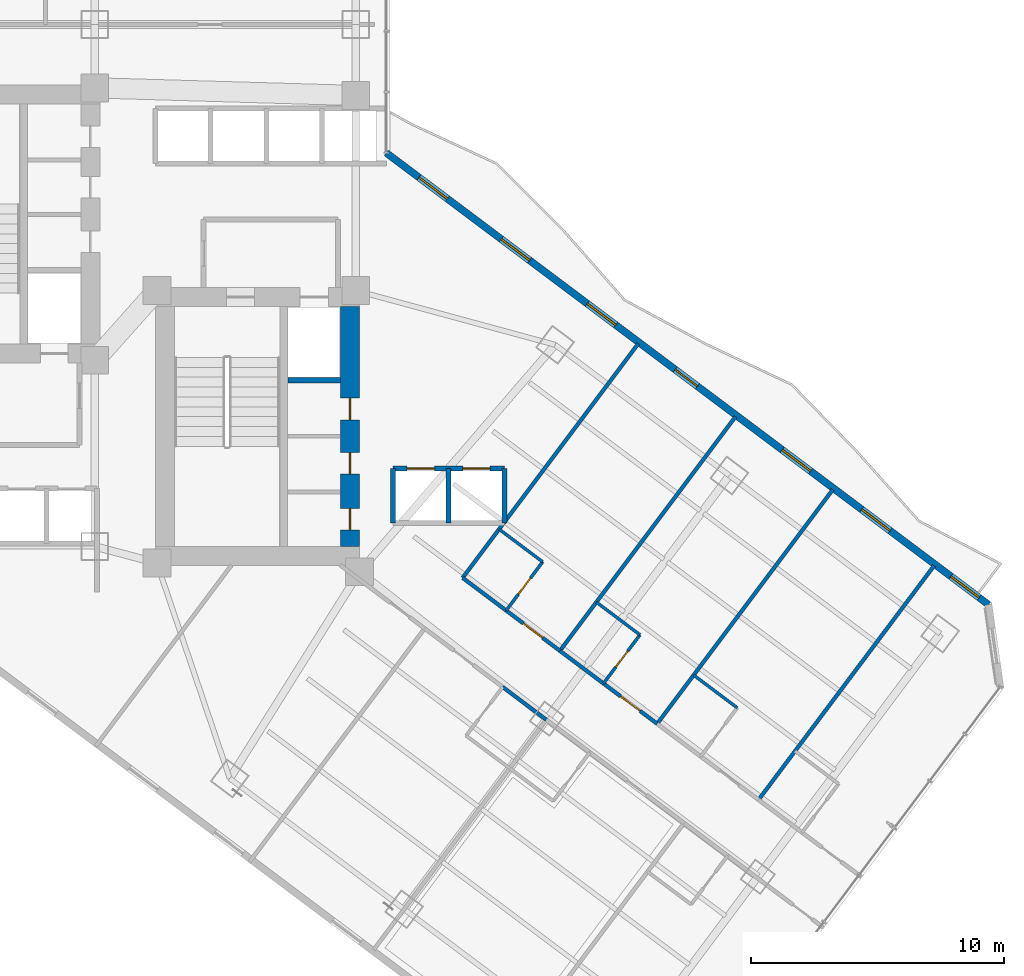
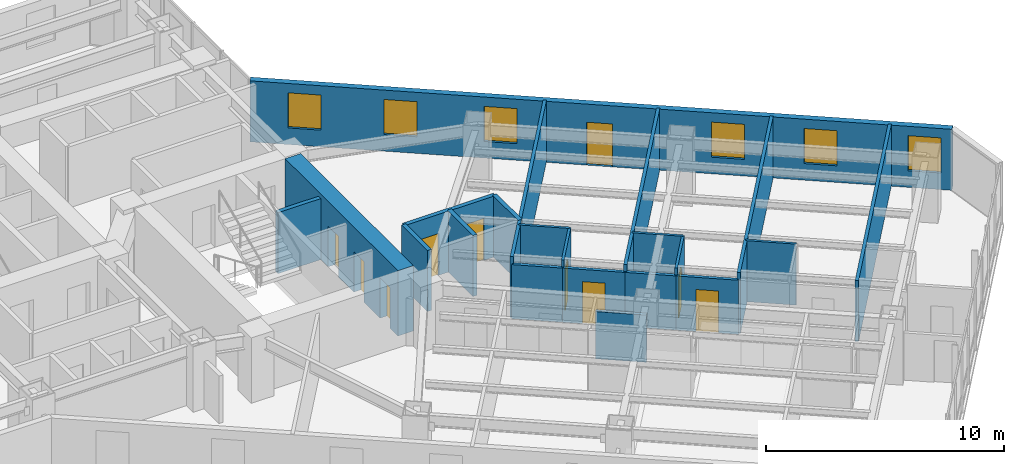
# One storey, part 25 of 37: 21 walls, 10 doors, 6 windows, 16 openings.
"""IFC4 building model written with IfcOpenShell, lengths in metres."""

from ifc_helpers import new_model, si_unit, direction, frame, frame_2d, origin, place, context, subcontext, project, spatial, rectangle, extrude, material, layer, layer_set, type_object, element, fill, save


model = new_model("IFC4")

# Units and contexts
model_context = context("Model", 3, precision=1e-05, world=origin(), true_north=direction((0.0, 1.0)))
body_context = subcontext(model_context, "Body", "Model", "MODEL_VIEW")
ifc_project = project(units=[si_unit("LENGTHUNIT", "METRE"), si_unit("AREAUNIT", "SQUARE_METRE"), si_unit("VOLUMEUNIT", "CUBIC_METRE"), si_unit("PLANEANGLEUNIT", "RADIAN"), si_unit("MASSUNIT", "GRAM", prefix="KILO")], contexts=[model_context])

# Site, building, storey
site_placement = place(None, origin())
site = spatial("IfcSite", under=ifc_project, at=site_placement, CompositionType="ELEMENT")
building_placement = place(site_placement, origin())
building = spatial("IfcBuilding", under=site, at=building_placement, Name="Hatsunagi Terrace Concourse", CompositionType="ELEMENT")
storey_placement = place(building_placement, frame((0.0, 0.0, 50.0)))
storey = spatial("IfcBuildingStorey", under=building, at=storey_placement, Name="L12", CompositionType="ELEMENT", Elevation=50.0)

# Wall, openings, doors
ifc_material_1 = material(Name="Concrete Fc60", Category="concrete")
ifc_layer_1 = layer(ifc_material_1, 0.75)
ifc_layer_set_1 = layer_set([ifc_layer_1], Name="CoreShearWall_Fc60_750")
wall_type_1 = type_object("IfcWallType", Name="CoreShearWall_Fc60_750", PredefinedType="SHEAR", material=ifc_layer_set_1)
wall_1_placement = place(storey_placement, frame((43.425048828125, 25.18994140625, 0.0), z_axis=(0.0, 0.0, 1.0), x_axis=(0.0, 1.0, 0.0)))
wall_1 = element("IfcWall", 1, at=wall_1_placement, inside=storey, type_object=wall_type_1, Name="Core B Shear Wall E L12", PredefinedType="SHEAR", context=body_context, shape_type="SweptSolid", body=[
    extrude(rectangle(XDim=9.47998046875, YDim=0.75, at=frame_2d((4.739990234375, 0.0))), origin(), (0.0, 0.0, 1.0), 3.35009765625),
])
opening_1_placement = place(wall_1_placement, frame((0.659912109375, 0.0, 0.0)))
opening_1 = element("IfcOpeningElement", 2, at=opening_1_placement, cuts=wall_1, Name="Opening DR-085", PredefinedType="OPENING", context=body_context, shape_type="SweptSolid", body=[
    extrude(rectangle(XDim=0.85009765625, YDim=2.080078125, at=frame_2d((0.425048828125, 1.0400390625))), frame((0.0, 0.385009765625, 0.0), z_axis=(0.0, -1.0, 0.0), x_axis=(1.0, 0.0, 0.0)), (0.0, 0.0, 1.0), 0.77001953125),
])
opening_2_placement = place(wall_1_placement, frame((2.860107421875, 0.0, 0.0)))
opening_2 = element("IfcOpeningElement", 3, at=opening_2_placement, cuts=wall_1, Name="Opening DR-085", PredefinedType="OPENING", context=body_context, shape_type="SweptSolid", body=[
    extrude(rectangle(XDim=0.85009765625, YDim=2.080078125, at=frame_2d((0.425048828125, 1.0400390625))), frame((0.0, 0.385009765625, 0.0), z_axis=(0.0, -1.0, 0.0), x_axis=(1.0, 0.0, 0.0)), (0.0, 0.0, 1.0), 0.77001953125),
])
opening_3_placement = place(wall_1_placement, frame((5.010009765625, 0.0, 0.0)))
opening_3 = element("IfcOpeningElement", 4, at=opening_3_placement, cuts=wall_1, Name="Opening DR-085", PredefinedType="OPENING", context=body_context, shape_type="SweptSolid", body=[
    extrude(rectangle(XDim=0.85009765625, YDim=2.080078125, at=frame_2d((0.425048828125, 1.0400390625))), frame((0.0, 0.385009765625, 0.0), z_axis=(0.0, -1.0, 0.0), x_axis=(1.0, 0.0, 0.0)), (0.0, 0.0, 1.0), 0.77001953125),
])
ifc_material_2 = material(Name="Painted steel", Category="steel")
door_type_1 = type_object("IfcDoorType", Name="RiserAccessDoor_EI60_850", OperationType="NOTDEFINED", PredefinedType="DOOR", material=ifc_material_2)
door_1_placement = place(opening_1_placement, origin())
door_1 = element("IfcDoor", 5, at=door_1_placement, inside=storey, type_object=door_type_1, Name="Core B Riser Door L12-1", OperationType="SINGLE_SWING_RIGHT", OverallHeight=2.080078125, OverallWidth=0.85009765625, PredefinedType="DOOR", context=body_context, shape_type="SweptSolid", body=[
    extrude(rectangle(XDim=0.85009765625, YDim=2.080078125, at=frame_2d((0.425048828125, 1.0400390625))), frame((0.0, 0.02490234375, 0.0), z_axis=(0.0, -1.0, 0.0), x_axis=(1.0, 0.0, 0.0)), (0.0, 0.0, 1.0), 0.050048828125),
])
fill(opening_1, door_1)
door_2_placement = place(opening_2_placement, origin())
door_2 = element("IfcDoor", 6, at=door_2_placement, inside=storey, type_object=door_type_1, Name="Core B Riser Door L12-2", OperationType="SINGLE_SWING_RIGHT", OverallHeight=2.080078125, OverallWidth=0.85009765625, PredefinedType="DOOR", context=body_context, shape_type="SweptSolid", body=[
    extrude(rectangle(XDim=0.85009765625, YDim=2.080078125, at=frame_2d((0.425048828125, 1.0400390625))), frame((0.0, 0.02490234375, 0.0), z_axis=(0.0, -1.0, 0.0), x_axis=(1.0, 0.0, 0.0)), (0.0, 0.0, 1.0), 0.050048828125),
])
fill(opening_2, door_2)
door_3_placement = place(opening_3_placement, origin())
door_3 = element("IfcDoor", 7, at=door_3_placement, inside=storey, type_object=door_type_1, Name="Core B Riser Door L12-3", OperationType="SINGLE_SWING_RIGHT", OverallHeight=2.080078125, OverallWidth=0.85009765625, PredefinedType="DOOR", context=body_context, shape_type="SweptSolid", body=[
    extrude(rectangle(XDim=0.85009765625, YDim=2.080078125, at=frame_2d((0.425048828125, 1.0400390625))), frame((0.0, 0.02490234375, 0.0), z_axis=(0.0, -1.0, 0.0), x_axis=(1.0, 0.0, 0.0)), (0.0, 0.0, 1.0), 0.050048828125),
])
fill(opening_3, door_3)

# Wall, opening, door
ifc_material_3 = material(Name="Acoustic mineral board", Category="gypsum")
ifc_layer_2 = layer(ifc_material_3, 0.1201171875)
ifc_layer_set_2 = layer_set([ifc_layer_2], Name="PartitionWall_EI30_120")
wall_type_2 = type_object("IfcWallType", Name="PartitionWall_EI30_120", PredefinedType="PARTITIONING", material=ifc_layer_set_2)
wall_2_placement = place(storey_placement, frame((49.590087890625, 22.669921875, 0.0), z_axis=(0.0, 0.0, 1.0), x_axis=(0.599951172744, 0.800036618114, 0.0)))
wall_2 = element("IfcWall", 8, at=wall_2_placement, inside=storey, type_object=wall_type_2, Name="Interior Partition IW-L12-080", PredefinedType="PARTITIONING", context=body_context, shape_type="SweptSolid", body=[
    extrude(rectangle(XDim=2.400146484375, YDim=0.1201171875, at=frame_2d((1.2001953125, 0.0))), origin(), (0.0, 0.0, 1.0), 3.1298828125),
])
opening_4_placement = place(wall_2_placement, frame((0.800048828125, 0.0, 0.0)))
opening_4 = element("IfcOpeningElement", 9, at=opening_4_placement, cuts=wall_2, Name="Opening DR-080", PredefinedType="OPENING", context=body_context, shape_type="SweptSolid", body=[
    extrude(rectangle(XDim=0.800048828125, YDim=2.06005859375, at=frame_2d((0.39990234375, 1.030029296875))), frame((0.0, 0.070068359375, 0.0), z_axis=(0.0, -1.0, 0.0), x_axis=(1.0, 0.0, 0.0)), (0.0, 0.0, 1.0), 0.14013671875),
])
ifc_material_4 = material(Name="Hardwood timber", Category="wood")
door_type_2 = type_object("IfcDoorType", Name="BathroomDoor_800", OperationType="NOTDEFINED", PredefinedType="DOOR", material=ifc_material_4)
door_4_placement = place(opening_4_placement, origin())
door_4 = element("IfcDoor", 10, at=door_4_placement, inside=storey, type_object=door_type_2, Name="En-Suite Bathroom L12-SENE1 Door", OperationType="SINGLE_SWING_LEFT", OverallHeight=2.06005859375, OverallWidth=0.800048828125, PredefinedType="DOOR", context=body_context, shape_type="SweptSolid", body=[
    extrude(rectangle(XDim=0.800048828125, YDim=2.06005859375, at=frame_2d((0.39990234375, 1.030029296875))), frame((0.0, 0.02490234375, 0.0), z_axis=(0.0, -1.0, 0.0), x_axis=(1.0, 0.0, 0.0)), (0.0, 0.0, 1.0), 0.050048828125),
])
fill(opening_4, door_4)

# Wall
wall_3_placement = place(storey_placement, frame((49.31005859375, 25.8798828125, 0.0), z_axis=(0.0, 0.0, 1.0), x_axis=(0.800040880289, -0.59994548908, 0.0)))
element("IfcWall", 11, at=wall_3_placement, inside=storey, type_object=wall_type_2, Name="Interior Partition IW-L12-081", PredefinedType="PARTITIONING", context=body_context, shape_type="SweptSolid", body=[
    extrude(rectangle(XDim=2.14990234375, YDim=0.1201171875, at=frame_2d((1.074951171875, 0.0))), origin(), (0.0, 0.0, 1.0), 3.1298828125),
])

# Wall, opening, door
wall_4_placement = place(storey_placement, frame((53.429931640625, 19.7900390625, 0.0), z_axis=(0.0, 0.0, 1.0), x_axis=(0.600065100855, 0.79995117022, 0.0)))
wall_4 = element("IfcWall", 12, at=wall_4_placement, inside=storey, type_object=wall_type_2, Name="Interior Partition IW-L12-086", PredefinedType="PARTITIONING", context=body_context, shape_type="SweptSolid", body=[
    extrude(rectangle(XDim=2.400146484375, YDim=0.1201171875, at=frame_2d((1.2001953125, 0.0))), origin(), (0.0, 0.0, 1.0), 3.1298828125),
])
opening_5_placement = place(wall_4_placement, frame((0.800048828125, 0.0, 0.0)))
opening_5 = element("IfcOpeningElement", 13, at=opening_5_placement, cuts=wall_4, Name="Opening DR-080", PredefinedType="OPENING", context=body_context, shape_type="SweptSolid", body=[
    extrude(rectangle(XDim=0.800048828125, YDim=2.06005859375, at=frame_2d((0.39990234375, 1.030029296875))), frame((0.0, 0.070068359375, 0.0), z_axis=(0.0, -1.0, 0.0), x_axis=(1.0, 0.0, 0.0)), (0.0, 0.0, 1.0), 0.14013671875),
])
door_5_placement = place(opening_5_placement, origin())
door_5 = element("IfcDoor", 14, at=door_5_placement, inside=storey, type_object=door_type_2, Name="En-Suite Bathroom L12-SENE2 Door", OperationType="SINGLE_SWING_RIGHT", OverallHeight=2.06005859375, OverallWidth=0.800048828125, PredefinedType="DOOR", context=body_context, shape_type="SweptSolid", body=[
    extrude(rectangle(XDim=0.800048828125, YDim=2.06005859375, at=frame_2d((0.39990234375, 1.030029296875))), frame((0.0, 0.02490234375, 0.0), z_axis=(0.0, -1.0, 0.0), x_axis=(1.0, 0.0, 0.0)), (0.0, 0.0, 1.0), 0.050048828125),
])
fill(opening_5, door_5)

# Walls
wall_5_placement = place(storey_placement, frame((53.14990234375, 23.0, 0.0), z_axis=(0.0, 0.0, 1.0), x_axis=(0.800027249606, -0.599963665473, 0.0)))
element("IfcWall", 15, at=wall_5_placement, inside=storey, type_object=wall_type_2, Name="Interior Partition IW-L12-087", PredefinedType="PARTITIONING", context=body_context, shape_type="SweptSolid", body=[
    extrude(rectangle(XDim=2.150146484375, YDim=0.1201171875, at=frame_2d((1.0751953125, 0.0))), origin(), (0.0, 0.0, 1.0), 3.1298828125),
])
wall_6_placement = place(storey_placement, frame((56.989990234375, 20.1201171875, 0.0), z_axis=(0.0, 0.0, 1.0), x_axis=(0.79998637334, -0.60001816845, 0.0)))
element("IfcWall", 16, at=wall_6_placement, inside=storey, type_object=wall_type_2, Name="Interior Partition IW-L12-092", PredefinedType="PARTITIONING", context=body_context, shape_type="SweptSolid", body=[
    extrude(rectangle(XDim=2.14990234375, YDim=0.1201171875, at=frame_2d((1.074951171875, 0.0))), origin(), (0.0, 0.0, 1.0), 3.1298828125),
])
ifc_material_5 = material(Name="Acoustic mineral board", Category="gypsum")
ifc_layer_3 = layer(ifc_material_5, 0.14990234375)
ifc_layer_set_3 = layer_set([ifc_layer_3], Name="PartitionWall_EI60_150")
wall_type_3 = type_object("IfcWallType", Name="PartitionWall_EI60_150", PredefinedType="PARTITIONING", material=ifc_layer_set_3)
wall_7_placement = place(storey_placement, frame((47.8701171875, 23.9599609375, 0.0), z_axis=(0.0, 0.0, 1.0), x_axis=(0.79998637334, -0.60001816845, 0.0)))
element("IfcWall", 17, at=wall_7_placement, inside=storey, type_object=wall_type_3, Name="Interior Partition IW-L12-078", PredefinedType="PARTITIONING", context=body_context, shape_type="SweptSolid", body=[
    extrude(rectangle(XDim=2.14990234375, YDim=0.14990234375, at=frame_2d((1.074951171875, 0.0))), origin(), (0.0, 0.0, 1.0), 2.77490234375),
])

# Wall, opening, door
wall_8_placement = place(storey_placement, frame((49.590087890625, 22.669921875, 0.0), z_axis=(0.0, 0.0, 1.0), x_axis=(0.800011056104, -0.599985258246, 0.0)))
wall_8 = element("IfcWall", 18, at=wall_8_placement, inside=storey, type_object=wall_type_3, Name="Interior Partition IW-L12-079", PredefinedType="PARTITIONING", context=body_context, shape_type="SweptSolid", body=[
    extrude(rectangle(XDim=2.64990234375, YDim=0.14990234375, at=frame_2d((1.324951171875, 0.0))), origin(), (0.0, 0.0, 1.0), 2.77490234375),
])
opening_6_placement = place(wall_8_placement, frame((0.85009765625, 0.0, 0.0)))
opening_6 = element("IfcOpeningElement", 19, at=opening_6_placement, cuts=wall_8, Name="Opening DR-095", PredefinedType="OPENING", context=body_context, shape_type="SweptSolid", body=[
    extrude(rectangle(XDim=0.949951171875, YDim=2.14990234375, at=frame_2d((0.47509765625, 1.074951171875))), frame((0.0, 0.0849609375, 0.0), z_axis=(0.0, -1.0, 0.0), x_axis=(1.0, 0.0, 0.0)), (0.0, 0.0, 1.0), 0.169921875),
])
ifc_material_6 = material(Name="Hardwood timber", Category="wood")
door_type_3 = type_object("IfcDoorType", Name="InteriorSuiteDoor_EI30_950", OperationType="NOTDEFINED", PredefinedType="DOOR", material=ifc_material_6)
door_6_placement = place(opening_6_placement, origin())
door_6 = element("IfcDoor", 20, at=door_6_placement, inside=storey, type_object=door_type_3, Name="Hotel Guest Room L12-SENE1 Door", OperationType="SINGLE_SWING_LEFT", OverallHeight=2.14990234375, OverallWidth=0.949951171875, PredefinedType="DOOR", context=body_context, shape_type="SweptSolid", body=[
    extrude(rectangle(XDim=0.949951171875, YDim=2.14990234375, at=frame_2d((0.47509765625, 1.074951171875))), frame((0.0, 0.02490234375, 0.0), z_axis=(0.0, -1.0, 0.0), x_axis=(1.0, 0.0, 0.0)), (0.0, 0.0, 1.0), 0.050048828125),
])
fill(opening_6, door_6)

# Walls
for number, where, z_axis, x_axis, name in (
    (21, (47.8701171875, 23.9599609375, 0.0), (0.0, 0.0, 1.0), (0.599996617946, 0.80000253653, 0.0), "Interior Partition IW-L12-082"),
    (22, (51.7099609375, 21.080078125, 0.0), (0.0, 0.0, 1.0), (0.599996617946, 0.80000253653, 0.0), "Interior Partition IW-L12-083"),
):
    element("IfcWall", number, at=place(storey_placement, frame(where, z_axis=z_axis, x_axis=x_axis)), inside=storey, type_object=wall_type_3, Name=name, PredefinedType="PARTITIONING", context=body_context, shape_type="SweptSolid", body=[
        extrude(rectangle(XDim=11.550048828125, YDim=0.14990234375, at=frame_2d((5.77490234375, 0.0))), origin(), (0.0, 0.0, 1.0), 3.1298828125),
    ])
wall_9_placement = place(storey_placement, frame((51.7099609375, 21.080078125, 0.0), z_axis=(0.0, 0.0, 1.0), x_axis=(0.79998637334, -0.60001816845, 0.0)))
element("IfcWall", 23, at=wall_9_placement, inside=storey, type_object=wall_type_3, Name="Interior Partition IW-L12-084", PredefinedType="PARTITIONING", context=body_context, shape_type="SweptSolid", body=[
    extrude(rectangle(XDim=2.14990234375, YDim=0.14990234375, at=frame_2d((1.074951171875, 0.0))), origin(), (0.0, 0.0, 1.0), 2.77490234375),
])

# Wall, opening, door
wall_10_placement = place(storey_placement, frame((53.429931640625, 19.7900390625, 0.0), z_axis=(0.0, 0.0, 1.0), x_axis=(0.8, -0.6, 0.0)))
wall_10 = element("IfcWall", 24, at=wall_10_placement, inside=storey, type_object=wall_type_3, Name="Interior Partition IW-L12-085", PredefinedType="PARTITIONING", context=body_context, shape_type="SweptSolid", body=[
    extrude(rectangle(XDim=2.650146484375, YDim=0.14990234375, at=frame_2d((1.3251953125, 0.0))), origin(), (0.0, 0.0, 1.0), 2.77490234375),
])
opening_7_placement = place(wall_10_placement, frame((0.85009765625, 0.0, 0.0)))
opening_7 = element("IfcOpeningElement", 25, at=opening_7_placement, cuts=wall_10, Name="Opening DR-095", PredefinedType="OPENING", context=body_context, shape_type="SweptSolid", body=[
    extrude(rectangle(XDim=0.949951171875, YDim=2.14990234375, at=frame_2d((0.47509765625, 1.074951171875))), frame((0.0, 0.0849609375, 0.0), z_axis=(0.0, -1.0, 0.0), x_axis=(1.0, 0.0, 0.0)), (0.0, 0.0, 1.0), 0.169921875),
])
door_7_placement = place(opening_7_placement, origin())
door_7 = element("IfcDoor", 26, at=door_7_placement, inside=storey, type_object=door_type_3, Name="Hotel Guest Room L12-SENE2 Door", OperationType="SINGLE_SWING_LEFT", OverallHeight=2.14990234375, OverallWidth=0.949951171875, PredefinedType="DOOR", context=body_context, shape_type="SweptSolid", body=[
    extrude(rectangle(XDim=0.949951171875, YDim=2.14990234375, at=frame_2d((0.47509765625, 1.074951171875))), frame((0.0, 0.02490234375, 0.0), z_axis=(0.0, -1.0, 0.0), x_axis=(1.0, 0.0, 0.0)), (0.0, 0.0, 1.0), 0.050048828125),
])
fill(opening_7, door_7)

# Walls
for number, where, z_axis, x_axis, name in (
    (27, (55.550048828125, 18.199951171875, 0.0), (0.0, 0.0, 1.0), (0.599996617946, 0.80000253653, 0.0), "Interior Partition IW-L12-088"),
    (28, (59.550048828125, 15.199951171875, 0.0), (0.0, 0.0, 1.0), (0.599996617946, 0.80000253653, 0.0), "Interior Partition IW-L12-093"),
):
    element("IfcWall", number, at=place(storey_placement, frame(where, z_axis=z_axis, x_axis=x_axis)), inside=storey, type_object=wall_type_3, Name=name, PredefinedType="PARTITIONING", context=body_context, shape_type="SweptSolid", body=[
        extrude(rectangle(XDim=11.550048828125, YDim=0.14990234375, at=frame_2d((5.77490234375, 0.0))), origin(), (0.0, 0.0, 1.0), 3.1298828125),
    ])
wall_11_placement = place(storey_placement, frame((49.449951171875, 19.64990234375, 0.0), z_axis=(0.0, 0.0, 1.0), x_axis=(0.800040880289, -0.59994548908, 0.0)))
element("IfcWall", 29, at=wall_11_placement, inside=storey, type_object=wall_type_3, Name="Interior Partition IW-L12-099", PredefinedType="PARTITIONING", context=body_context, shape_type="SweptSolid", body=[
    extrude(rectangle(XDim=2.14990234375, YDim=0.14990234375, at=frame_2d((1.074951171875, 0.0))), origin(), (0.0, 0.0, 1.0), 2.425048828125),
])
ifc_material_7 = material(Name="Acoustic mineral board", Category="gypsum")
ifc_layer_4 = layer(ifc_material_7, 0.199951171875)
ifc_layer_set_4 = layer_set([ifc_layer_4], Name="ShaftWall_EI120_200")
wall_type_4 = type_object("IfcWallType", Name="ShaftWall_EI120_200", PredefinedType="STANDARD", material=ifc_layer_set_4)
wall_12_placement = place(storey_placement, frame((40.969970703125, 31.760009765625, 0.0), z_axis=(0.0, 0.0, 1.0), x_axis=(1.0, 0.0, 0.0)))
element("IfcWall", 30, at=wall_12_placement, inside=storey, type_object=wall_type_4, Name="Interior Partition IW-L12-004", PredefinedType="STANDARD", context=body_context, shape_type="SweptSolid", body=[
    extrude(rectangle(XDim=2.080078125, YDim=0.199951171875, at=frame_2d((1.0400390625, 0.0))), origin(), (0.0, 0.0, 1.0), 3.1298828125),
])
for number, where, z_axis, x_axis, name in (
    (31, (45.1201171875, 26.1201171875, 0.0), (0.0, 0.0, 1.0), (0.0, 1.0, 0.0), "Interior Partition IW-L12-027"),
    (32, (49.52001953125, 26.1201171875, 0.0), (0.0, 0.0, 1.0), (0.0, 1.0, 0.0), "Interior Partition IW-L12-028"),
    (33, (47.320068359375, 26.1201171875, 0.0), (0.0, 0.0, 1.0), (0.0, 1.0, 0.0), "Interior Partition IW-L12-029"),
):
    element("IfcWall", number, at=place(storey_placement, frame(where, z_axis=z_axis, x_axis=x_axis)), inside=storey, type_object=wall_type_4, Name=name, PredefinedType="STANDARD", context=body_context, shape_type="SweptSolid", body=[
        extrude(rectangle(XDim=2.159912109375, YDim=0.199951171875, at=frame_2d((1.080078125, 0.0))), origin(), (0.0, 0.0, 1.0), 3.1298828125),
    ])

# Wall, openings, doors
wall_13_placement = place(storey_placement, frame((45.1201171875, 28.280029296875, 0.0), z_axis=(0.0, 0.0, 1.0), x_axis=(1.0, 0.0, 0.0)))
wall_13 = element("IfcWall", 34, at=wall_13_placement, inside=storey, type_object=wall_type_4, Name="Interior Partition IW-L12-030", PredefinedType="STANDARD", context=body_context, shape_type="SweptSolid", body=[
    extrude(rectangle(XDim=4.39990234375, YDim=0.199951171875, at=frame_2d((2.199951171875, 0.0))), origin(), (0.0, 0.0, 1.0), 3.1298828125),
])
opening_8_placement = place(wall_13_placement, frame((0.56005859375, 0.0, 0.0)))
opening_8 = element("IfcOpeningElement", 35, at=opening_8_placement, cuts=wall_13, Name="Opening LD-03", PredefinedType="OPENING", context=body_context, shape_type="SweptSolid", body=[
    extrude(rectangle(XDim=1.080078125, YDim=2.14990234375, at=frame_2d((0.5400390625, 1.074951171875))), frame((0.0, 0.10986328125, 0.0), z_axis=(0.0, -1.0, 0.0), x_axis=(1.0, 0.0, 0.0)), (0.0, 0.0, 1.0), 0.219970703125),
])
opening_9_placement = place(wall_13_placement, frame((2.760009765625, 0.0, 0.0)))
opening_9 = element("IfcOpeningElement", 36, at=opening_9_placement, cuts=wall_13, Name="Opening LD-03", PredefinedType="OPENING", context=body_context, shape_type="SweptSolid", body=[
    extrude(rectangle(XDim=1.080078125, YDim=2.14990234375, at=frame_2d((0.5400390625, 1.074951171875))), frame((0.0, 0.10986328125, 0.0), z_axis=(0.0, -1.0, 0.0), x_axis=(1.0, 0.0, 0.0)), (0.0, 0.0, 1.0), 0.219970703125),
])
ifc_material_8 = material(Name="Stainless steel", Category="steel")
door_type_4 = type_object("IfcDoorType", Name="LiftLandingDoor_LD03", OperationType="SLIDING_TO_LEFT", PredefinedType="USERDEFINED", material=ifc_material_8)
door_8_placement = place(opening_8_placement, origin())
door_8 = element("IfcDoor", 37, at=door_8_placement, inside=storey, type_object=door_type_4, Name="Lift landing door PL-09 L12", ObjectType="SLIDING_LANDING_DOOR", OperationType="SLIDING_TO_LEFT", OverallHeight=2.14990234375, OverallWidth=1.080078125, PredefinedType="USERDEFINED", context=body_context, shape_type="SweptSolid", body=[
    extrude(rectangle(XDim=1.080078125, YDim=2.14990234375, at=frame_2d((0.5400390625, 1.074951171875))), frame((0.0, 0.02490234375, 0.0), z_axis=(0.0, -1.0, 0.0), x_axis=(1.0, 0.0, 0.0)), (0.0, 0.0, 1.0), 0.050048828125),
])
fill(opening_8, door_8)
door_9_placement = place(opening_9_placement, origin())
door_9 = element("IfcDoor", 38, at=door_9_placement, inside=storey, type_object=door_type_4, Name="Lift landing door PL-10 L12", ObjectType="SLIDING_LANDING_DOOR", OperationType="SLIDING_TO_LEFT", OverallHeight=2.14990234375, OverallWidth=1.080078125, PredefinedType="USERDEFINED", context=body_context, shape_type="SweptSolid", body=[
    extrude(rectangle(XDim=1.080078125, YDim=2.14990234375, at=frame_2d((0.5400390625, 1.074951171875))), frame((0.0, 0.02490234375, 0.0), z_axis=(0.0, -1.0, 0.0), x_axis=(1.0, 0.0, 0.0)), (0.0, 0.0, 1.0), 0.050048828125),
])
fill(opening_9, door_9)

# Wall, openings, door, windows
ifc_material_9 = material(Name="Autoclaved Lightweight Concrete and Terracotta Cladding", Category="masonry")
ifc_layer_5 = layer(ifc_material_9, 0.280029296875)
ifc_layer_set_5 = layer_set([ifc_layer_5], Name="TerracottaSpandrelWall_280")
wall_type_5 = type_object("IfcWallType", Name="TerracottaSpandrelWall_280", PredefinedType="STANDARD", material=ifc_layer_set_5)
wall_14_placement = place(storey_placement, frame((44.860107421875, 40.72998046875, 0.0), z_axis=(0.0, 0.0, 1.0), x_axis=(0.800006902154, -0.599990797017, 0.0)))
wall_14 = element("IfcWall", 39, at=wall_14_placement, inside=storey, type_object=wall_type_5, Name="Exterior Spandrel Wall EW-L12-01", PredefinedType="STANDARD", context=body_context, shape_type="SweptSolid", body=[
    extrude(rectangle(XDim=29.7119140625, YDim=0.280029296875, at=frame_2d((14.85595703125, 0.0))), origin(), (0.0, 0.0, 1.0), 3.1298828125),
])
opening_10_placement = place(wall_14_placement, frame((14.2490234375, 0.0, 0.0)))
opening_10 = element("IfcOpeningElement", 40, at=opening_10_placement, cuts=wall_14, Name="Opening BD-01", PredefinedType="OPENING", context=body_context, shape_type="SweptSolid", body=[
    extrude(rectangle(XDim=1.10009765625, YDim=2.199951171875, at=frame_2d((0.550048828125, 1.10009765625))), frame((0.0, 0.14990234375, 0.0), z_axis=(0.0, -1.0, 0.0), x_axis=(1.0, 0.0, 0.0)), (0.0, 0.0, 1.0), 0.300048828125),
])
opening_11_placement = place(wall_14_placement, frame((1.612060546875, 0.0, 0.85009765625)))
opening_11 = element("IfcOpeningElement", 41, at=opening_11_placement, cuts=wall_14, Name="Opening WIN-02", PredefinedType="OPENING", context=body_context, shape_type="SweptSolid", body=[
    extrude(rectangle(XDim=1.39990234375, YDim=1.800048828125, at=frame_2d((0.699951171875, 0.89990234375))), frame((0.0, 0.14990234375, 0.0), z_axis=(0.0, -1.0, 0.0), x_axis=(1.0, 0.0, 0.0)), (0.0, 0.0, 1.0), 0.300048828125),
])
opening_12_placement = place(wall_14_placement, frame((5.6669921875, 0.0, 0.85009765625)))
opening_12 = element("IfcOpeningElement", 42, at=opening_12_placement, cuts=wall_14, Name="Opening WIN-02", PredefinedType="OPENING", context=body_context, shape_type="SweptSolid", body=[
    extrude(rectangle(XDim=1.39990234375, YDim=1.800048828125, at=frame_2d((0.699951171875, 0.89990234375))), frame((0.0, 0.14990234375, 0.0), z_axis=(0.0, -1.0, 0.0), x_axis=(1.0, 0.0, 0.0)), (0.0, 0.0, 1.0), 0.300048828125),
])
opening_13_placement = place(wall_14_placement, frame((9.912109375, 0.0, 0.85009765625)))
opening_13 = element("IfcOpeningElement", 43, at=opening_13_placement, cuts=wall_14, Name="Opening WIN-02", PredefinedType="OPENING", context=body_context, shape_type="SweptSolid", body=[
    extrude(rectangle(XDim=1.39990234375, YDim=1.800048828125, at=frame_2d((0.699951171875, 0.89990234375))), frame((0.0, 0.14990234375, 0.0), z_axis=(0.0, -1.0, 0.0), x_axis=(1.0, 0.0, 0.0)), (0.0, 0.0, 1.0), 0.300048828125),
])
opening_14_placement = place(wall_14_placement, frame((19.528076171875, 0.0, 0.85009765625)))
opening_14 = element("IfcOpeningElement", 44, at=opening_14_placement, cuts=wall_14, Name="Opening WIN-02", PredefinedType="OPENING", context=body_context, shape_type="SweptSolid", body=[
    extrude(rectangle(XDim=1.39990234375, YDim=1.800048828125, at=frame_2d((0.699951171875, 0.89990234375))), frame((0.0, 0.14990234375, 0.0), z_axis=(0.0, -1.0, 0.0), x_axis=(1.0, 0.0, 0.0)), (0.0, 0.0, 1.0), 0.300048828125),
])
opening_15_placement = place(wall_14_placement, frame((23.450927734375, 0.0, 0.85009765625)))
opening_15 = element("IfcOpeningElement", 45, at=opening_15_placement, cuts=wall_14, Name="Opening WIN-02", PredefinedType="OPENING", context=body_context, shape_type="SweptSolid", body=[
    extrude(rectangle(XDim=1.39990234375, YDim=1.800048828125, at=frame_2d((0.699951171875, 0.89990234375))), frame((0.0, 0.14990234375, 0.0), z_axis=(0.0, -1.0, 0.0), x_axis=(1.0, 0.0, 0.0)), (0.0, 0.0, 1.0), 0.300048828125),
])
opening_16_placement = place(wall_14_placement, frame((27.85205078125, 0.0, 0.85009765625)))
opening_16 = element("IfcOpeningElement", 46, at=opening_16_placement, cuts=wall_14, Name="Opening WIN-02", PredefinedType="OPENING", context=body_context, shape_type="SweptSolid", body=[
    extrude(rectangle(XDim=1.39990234375, YDim=1.800048828125, at=frame_2d((0.699951171875, 0.89990234375))), frame((0.0, 0.14990234375, 0.0), z_axis=(0.0, -1.0, 0.0), x_axis=(1.0, 0.0, 0.0)), (0.0, 0.0, 1.0), 0.300048828125),
])
ifc_material_10 = material(Name="Galvanised Steel and Laminated Safety Glass", Category="steel")
door_type_5 = type_object("IfcDoorType", Name="BalconyTerraceAccessDoor_1100x2200", OperationType="SINGLE_SWING_LEFT", PredefinedType="DOOR", material=ifc_material_10)
door_10_placement = place(opening_10_placement, origin())
door_10 = element("IfcDoor", 47, at=door_10_placement, inside=storey, type_object=door_type_5, Name="Engawa Balcony Door L12-BSE", OperationType="SINGLE_SWING_LEFT", OverallHeight=2.199951171875, OverallWidth=1.10009765625, PredefinedType="DOOR", context=body_context, shape_type="SweptSolid", body=[
    extrude(rectangle(XDim=1.10009765625, YDim=2.199951171875, at=frame_2d((0.550048828125, 1.10009765625))), frame((0.0, 0.02490234375, 0.0), z_axis=(0.0, -1.0, 0.0), x_axis=(1.0, 0.0, 0.0)), (0.0, 0.0, 1.0), 0.050048828125),
])
fill(opening_10, door_10)
ifc_material_11 = material(Name="Thermally Broken Aluminium and Low-E Triple Glazing", Category="aluminium")
window_type = type_object("IfcWindowType", Name="HotelOperableVentWindow_1400x1800", PartitioningType="DOUBLE_PANEL_VERTICAL", PredefinedType="WINDOW", material=ifc_material_11)
window_1_placement = place(opening_11_placement, origin())
window_1 = element("IfcWindow", 48, at=window_1_placement, inside=storey, type_object=window_type, Name="Balcony Daylighting Window L12-01-1", OverallHeight=1.800048828125, OverallWidth=1.39990234375, PartitioningType="SINGLE_PANEL", PredefinedType="WINDOW", context=body_context, shape_type="SweptSolid", body=[
    extrude(rectangle(XDim=1.39990234375, YDim=1.800048828125, at=frame_2d((0.699951171875, 0.89990234375))), frame((0.0, 0.030029296875, 0.0), z_axis=(0.0, -1.0, 0.0), x_axis=(1.0, 0.0, 0.0)), (0.0, 0.0, 1.0), 0.06005859375),
])
fill(opening_11, window_1)
window_2_placement = place(opening_12_placement, origin())
window_2 = element("IfcWindow", 49, at=window_2_placement, inside=storey, type_object=window_type, Name="Balcony Daylighting Window L12-01-2", OverallHeight=1.800048828125, OverallWidth=1.39990234375, PartitioningType="SINGLE_PANEL", PredefinedType="WINDOW", context=body_context, shape_type="SweptSolid", body=[
    extrude(rectangle(XDim=1.39990234375, YDim=1.800048828125, at=frame_2d((0.699951171875, 0.89990234375))), frame((0.0, 0.030029296875, 0.0), z_axis=(0.0, -1.0, 0.0), x_axis=(1.0, 0.0, 0.0)), (0.0, 0.0, 1.0), 0.06005859375),
])
fill(opening_12, window_2)
window_3_placement = place(opening_13_placement, origin())
window_3 = element("IfcWindow", 50, at=window_3_placement, inside=storey, type_object=window_type, Name="Balcony Daylighting Window L12-01-3", OverallHeight=1.800048828125, OverallWidth=1.39990234375, PartitioningType="SINGLE_PANEL", PredefinedType="WINDOW", context=body_context, shape_type="SweptSolid", body=[
    extrude(rectangle(XDim=1.39990234375, YDim=1.800048828125, at=frame_2d((0.699951171875, 0.89990234375))), frame((0.0, 0.030029296875, 0.0), z_axis=(0.0, -1.0, 0.0), x_axis=(1.0, 0.0, 0.0)), (0.0, 0.0, 1.0), 0.06005859375),
])
fill(opening_13, window_3)
window_4_placement = place(opening_14_placement, origin())
window_4 = element("IfcWindow", 51, at=window_4_placement, inside=storey, type_object=window_type, Name="Balcony Daylighting Window L12-01-5", OverallHeight=1.800048828125, OverallWidth=1.39990234375, PartitioningType="SINGLE_PANEL", PredefinedType="WINDOW", context=body_context, shape_type="SweptSolid", body=[
    extrude(rectangle(XDim=1.39990234375, YDim=1.800048828125, at=frame_2d((0.699951171875, 0.89990234375))), frame((0.0, 0.030029296875, 0.0), z_axis=(0.0, -1.0, 0.0), x_axis=(1.0, 0.0, 0.0)), (0.0, 0.0, 1.0), 0.06005859375),
])
fill(opening_14, window_4)
window_5_placement = place(opening_15_placement, origin())
window_5 = element("IfcWindow", 52, at=window_5_placement, inside=storey, type_object=window_type, Name="Balcony Daylighting Window L12-01-6", OverallHeight=1.800048828125, OverallWidth=1.39990234375, PartitioningType="SINGLE_PANEL", PredefinedType="WINDOW", context=body_context, shape_type="SweptSolid", body=[
    extrude(rectangle(XDim=1.39990234375, YDim=1.800048828125, at=frame_2d((0.699951171875, 0.89990234375))), frame((0.0, 0.030029296875, 0.0), z_axis=(0.0, -1.0, 0.0), x_axis=(1.0, 0.0, 0.0)), (0.0, 0.0, 1.0), 0.06005859375),
])
fill(opening_15, window_5)
window_6_placement = place(opening_16_placement, origin())
window_6 = element("IfcWindow", 53, at=window_6_placement, inside=storey, type_object=window_type, Name="Balcony Daylighting Window L12-01-7", OverallHeight=1.800048828125, OverallWidth=1.39990234375, PartitioningType="SINGLE_PANEL", PredefinedType="WINDOW", context=body_context, shape_type="SweptSolid", body=[
    extrude(rectangle(XDim=1.39990234375, YDim=1.800048828125, at=frame_2d((0.699951171875, 0.89990234375))), frame((0.0, 0.030029296875, 0.0), z_axis=(0.0, -1.0, 0.0), x_axis=(1.0, 0.0, 0.0)), (0.0, 0.0, 1.0), 0.06005859375),
])
fill(opening_16, window_6)

save(model, "model.ifc")
